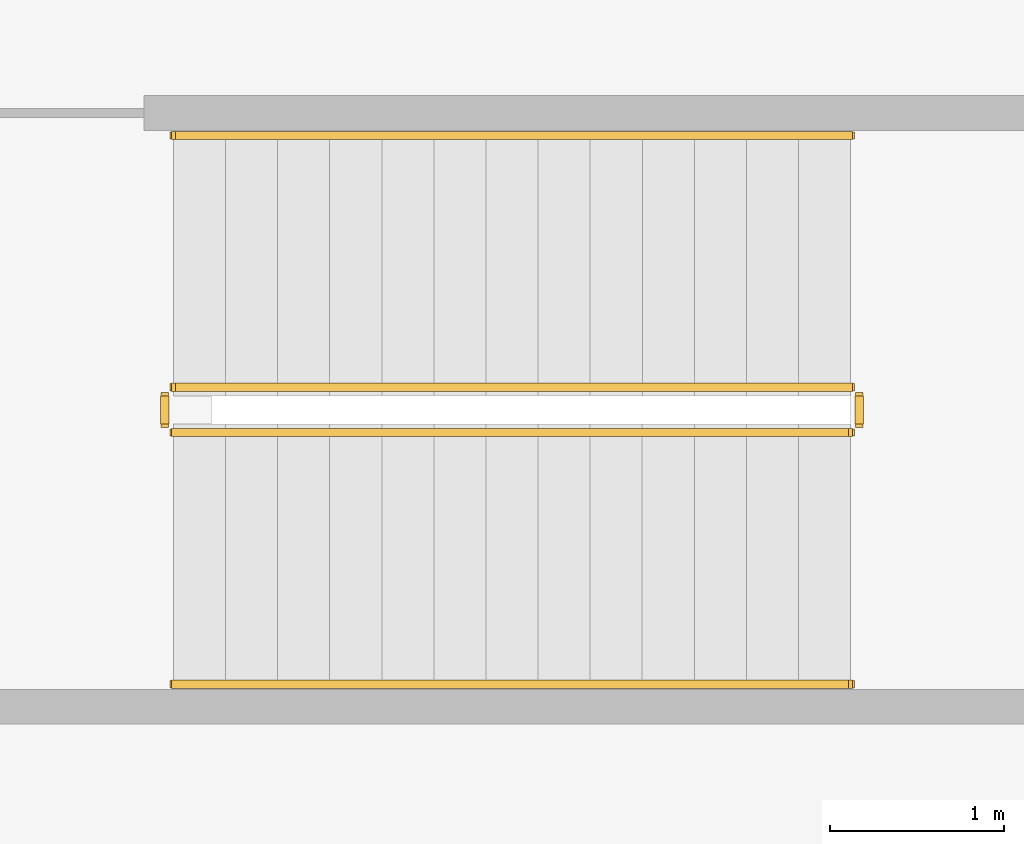
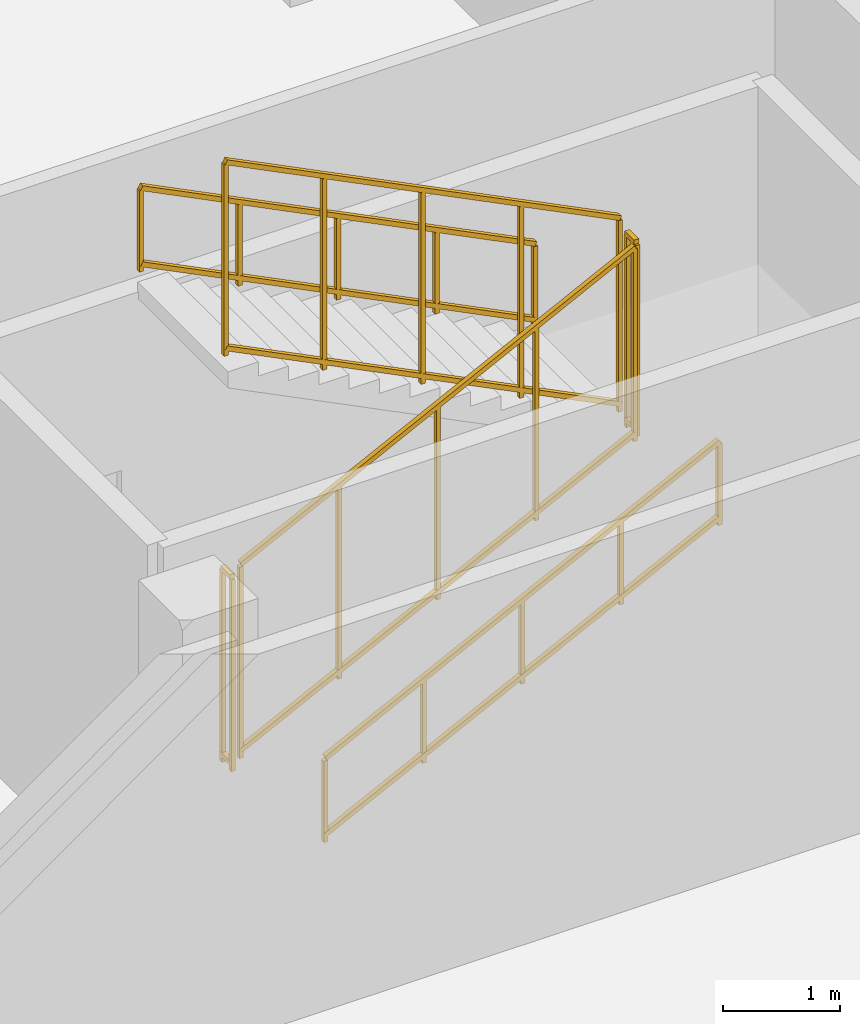
# One storey, part 17 of 19: 6 railings.
"""IFC4 building model written with IfcOpenShell, lengths in metres."""

from ifc_helpers import new_model, si_unit, direction, frame, origin, origin_2d, place, context, subcontext, project, spatial, rectangle, extrude, material, type_object, element, save


model = new_model("IFC4")

# Units and contexts
model_context = context("Model", 3, precision=1e-05, world=origin(), true_north=direction((0.0, 1.0)))
body_context = subcontext(model_context, "Body", "Model", "MODEL_VIEW")
ifc_project = project(units=[si_unit("LENGTHUNIT", "METRE"), si_unit("AREAUNIT", "SQUARE_METRE"), si_unit("VOLUMEUNIT", "CUBIC_METRE"), si_unit("PLANEANGLEUNIT", "RADIAN"), si_unit("MASSUNIT", "GRAM", prefix="KILO")], contexts=[model_context])

# Site, building, storey
site_placement = place(None, origin())
site = spatial("IfcSite", under=ifc_project, at=site_placement, CompositionType="ELEMENT")
building_placement = place(site_placement, origin())
building = spatial("IfcBuilding", under=site, at=building_placement, Name="Khorvyn Point Tower", CompositionType="ELEMENT")
storey_placement = place(building_placement, frame((0.0, 0.0, 4.800048828125)))
storey = spatial("IfcBuildingStorey", under=building, at=storey_placement, Name="L02", CompositionType="ELEMENT", Elevation=4.800048828125)

# Railings
ifc_material = material(Name="Stainless steel 1.4301", Category="steel")
railing_type_1 = type_object("IfcRailingType", Name="Stainless Steel 304 Stair Pitch Handrail 900", PredefinedType="HANDRAIL", material=ifc_material)
railing_1_placement = place(storey_placement, frame((25.949951171875, 8.610107421875, 0.14990234375)))
element("IfcRailing", 1, at=railing_1_placement, inside=storey, type_object=railing_type_1, Name="L02 ST-S3 stair handrail 1", PredefinedType="HANDRAIL", context=body_context, shape_type="SweptSolid", body=[
    extrude(rectangle(XDim=0.048095703125, YDim=0.048095703125, at=origin_2d()), frame((0.0, 0.0, 0.8759765625), z_axis=(0.894438388696, 0.0, 0.447191199406), x_axis=(0.0, 1.0, 0.0)), (0.0, 0.0, 1.0), 4.3603515625),
    extrude(rectangle(XDim=0.048095703125, YDim=0.048095703125, at=origin_2d()), frame((0.0, 0.0, 0.080078125), z_axis=(0.894438388696, 0.0, 0.447191199406), x_axis=(0.0, 1.0, 0.0)), (0.0, 0.0, 1.0), 4.3603515625),
    extrude(rectangle(XDim=0.0419921875, YDim=0.0419921875, at=origin_2d()), origin(), (0.0, 0.0, 1.0), 0.851806640625),
    extrude(rectangle(XDim=0.0419921875, YDim=0.0419921875, at=origin_2d()), frame((0.97509765625, 0.0, 0.487548828125)), (0.0, 0.0, 1.0), 0.851806640625),
    extrude(rectangle(XDim=0.0419921875, YDim=0.0419921875, at=origin_2d()), frame((1.9501953125, 0.0, 0.97509765625)), (0.0, 0.0, 1.0), 0.851806640625),
    extrude(rectangle(XDim=0.0419921875, YDim=0.0419921875, at=origin_2d()), frame((2.925048828125, 0.0, 1.46240234375)), (0.0, 0.0, 1.0), 0.851806640625),
    extrude(rectangle(XDim=0.0419921875, YDim=0.0419921875, at=origin_2d()), frame((3.900146484375, 0.0, 1.949951171875)), (0.0, 0.0, 1.0), 0.851806640625),
])
railing_2_placement = place(storey_placement, frame((29.85009765625, 11.77001953125, 2.25)))
element("IfcRailing", 2, at=railing_2_placement, inside=storey, type_object=railing_type_1, Name="L02 ST-S3 stair handrail 2", PredefinedType="HANDRAIL", context=body_context, shape_type="SweptSolid", body=[
    extrude(rectangle(XDim=0.048095703125, YDim=0.048095703125, at=origin_2d()), frame((0.0, 0.0, 0.8759765625), z_axis=(-0.894438388696, 0.0, 0.447191199406), x_axis=(0.0, -1.0, 0.0)), (0.0, 0.0, 1.0), 4.3603515625),
    extrude(rectangle(XDim=0.048095703125, YDim=0.048095703125, at=origin_2d()), frame((0.0, 0.0, 0.080078125), z_axis=(-0.894438388696, 0.0, 0.447191199406), x_axis=(0.0, -1.0, 0.0)), (0.0, 0.0, 1.0), 4.3603515625),
    extrude(rectangle(XDim=0.0419921875, YDim=0.0419921875, at=origin_2d()), origin(), (0.0, 0.0, 1.0), 0.851806640625),
    extrude(rectangle(XDim=0.0419921875, YDim=0.0419921875, at=origin_2d()), frame((-0.97509765625, 0.0, 0.487548828125)), (0.0, 0.0, 1.0), 0.851806640625),
    extrude(rectangle(XDim=0.0419921875, YDim=0.0419921875, at=origin_2d()), frame((-1.9501953125, 0.0, 0.97509765625)), (0.0, 0.0, 1.0), 0.851806640625),
    extrude(rectangle(XDim=0.0419921875, YDim=0.0419921875, at=origin_2d()), frame((-2.925048828125, 0.0, 1.46240234375)), (0.0, 0.0, 1.0), 0.851806640625),
    extrude(rectangle(XDim=0.0419921875, YDim=0.0419921875, at=origin_2d()), frame((-3.900146484375, 0.0, 1.949951171875)), (0.0, 0.0, 1.0), 0.851806640625),
])
railing_type_2 = type_object("IfcRailingType", Name="Stainless Steel 304 Stair Well Guardrail 1400", PredefinedType="GUARDRAIL", material=ifc_material)
railing_3_placement = place(storey_placement, frame((25.949951171875, 10.06005859375, 0.14990234375)))
element("IfcRailing", 3, at=railing_3_placement, inside=storey, type_object=railing_type_2, Name="L02 ST-S3 stair guard 1", PredefinedType="GUARDRAIL", context=body_context, shape_type="SweptSolid", body=[
    extrude(rectangle(XDim=0.048095703125, YDim=0.048095703125, at=origin_2d()), frame((0.0, 0.0, 2.02587890625), z_axis=(0.894438388696, 0.0, 0.447191199406), x_axis=(0.0, 1.0, 0.0)), (0.0, 0.0, 1.0), 4.3603515625),
    extrude(rectangle(XDim=0.048095703125, YDim=0.048095703125, at=origin_2d()), frame((0.0, 0.0, 0.080078125), z_axis=(0.894438388696, 0.0, 0.447191199406), x_axis=(0.0, 1.0, 0.0)), (0.0, 0.0, 1.0), 4.3603515625),
    extrude(rectangle(XDim=0.0419921875, YDim=0.0419921875, at=origin_2d()), origin(), (0.0, 0.0, 1.0), 2.001953125),
    extrude(rectangle(XDim=0.0419921875, YDim=0.0419921875, at=origin_2d()), frame((0.97509765625, 0.0, 0.487548828125)), (0.0, 0.0, 1.0), 2.001953125),
    extrude(rectangle(XDim=0.0419921875, YDim=0.0419921875, at=origin_2d()), frame((1.9501953125, 0.0, 0.97509765625)), (0.0, 0.0, 1.0), 2.001953125),
    extrude(rectangle(XDim=0.0419921875, YDim=0.0419921875, at=origin_2d()), frame((2.925048828125, 0.0, 1.46240234375)), (0.0, 0.0, 1.0), 2.001953125),
    extrude(rectangle(XDim=0.0419921875, YDim=0.0419921875, at=origin_2d()), frame((3.900146484375, 0.0, 1.949951171875)), (0.0, 0.0, 1.0), 2.001953125),
])
railing_4_placement = place(storey_placement, frame((29.89990234375, 10.110107421875, 2.099853515625)))
element("IfcRailing", 4, at=railing_4_placement, inside=storey, type_object=railing_type_2, Name="L02 ST-S3 stair guard 2", PredefinedType="GUARDRAIL", context=body_context, shape_type="SweptSolid", body=[
    extrude(rectangle(XDim=0.048095703125, YDim=0.048095703125, at=origin_2d()), frame((0.0, 0.0, 2.02587890625), z_axis=(0.0, 1.0, 0.0), x_axis=(-1.0, 0.0, 0.0)), (0.0, 0.0, 1.0), 0.159912109375),
    extrude(rectangle(XDim=0.048095703125, YDim=0.048095703125, at=origin_2d()), frame((0.0, 0.0, 0.080078125), z_axis=(0.0, 1.0, 0.0), x_axis=(-1.0, 0.0, 0.0)), (0.0, 0.0, 1.0), 0.159912109375),
    extrude(rectangle(XDim=0.0419921875, YDim=0.0419921875, at=origin_2d()), origin(), (0.0, 0.0, 1.0), 2.001953125),
    extrude(rectangle(XDim=0.0419921875, YDim=0.0419921875, at=origin_2d()), frame((0.0, 0.159912109375, 0.0)), (0.0, 0.0, 1.0), 2.001953125),
])
railing_5_placement = place(storey_placement, frame((29.85009765625, 10.320068359375, 2.25)))
element("IfcRailing", 5, at=railing_5_placement, inside=storey, type_object=railing_type_2, Name="L02 ST-S3 stair guard 3", PredefinedType="GUARDRAIL", context=body_context, shape_type="SweptSolid", body=[
    extrude(rectangle(XDim=0.048095703125, YDim=0.048095703125, at=origin_2d()), frame((0.0, 0.0, 2.02587890625), z_axis=(-0.894438388696, 0.0, 0.447191199406), x_axis=(0.0, -1.0, 0.0)), (0.0, 0.0, 1.0), 4.3603515625),
    extrude(rectangle(XDim=0.048095703125, YDim=0.048095703125, at=origin_2d()), frame((0.0, 0.0, 0.080078125), z_axis=(-0.894438388696, 0.0, 0.447191199406), x_axis=(0.0, -1.0, 0.0)), (0.0, 0.0, 1.0), 4.3603515625),
    extrude(rectangle(XDim=0.0419921875, YDim=0.0419921875, at=origin_2d()), origin(), (0.0, 0.0, 1.0), 2.001953125),
    extrude(rectangle(XDim=0.0419921875, YDim=0.0419921875, at=origin_2d()), frame((-0.97509765625, 0.0, 0.487548828125)), (0.0, 0.0, 1.0), 2.001953125),
    extrude(rectangle(XDim=0.0419921875, YDim=0.0419921875, at=origin_2d()), frame((-1.9501953125, 0.0, 0.97509765625)), (0.0, 0.0, 1.0), 2.001953125),
    extrude(rectangle(XDim=0.0419921875, YDim=0.0419921875, at=origin_2d()), frame((-2.925048828125, 0.0, 1.46240234375)), (0.0, 0.0, 1.0), 2.001953125),
    extrude(rectangle(XDim=0.0419921875, YDim=0.0419921875, at=origin_2d()), frame((-3.900146484375, 0.0, 1.949951171875)), (0.0, 0.0, 1.0), 2.001953125),
])
railing_6_placement = place(storey_placement, frame((25.89990234375, 10.110107421875, 0.0)))
element("IfcRailing", 6, at=railing_6_placement, inside=storey, type_object=railing_type_2, Name="L02 ST-S3 stair guard 4", PredefinedType="GUARDRAIL", context=body_context, shape_type="SweptSolid", body=[
    extrude(rectangle(XDim=0.048095703125, YDim=0.048095703125, at=origin_2d()), frame((0.0, 0.0, 2.02587890625), z_axis=(0.0, 1.0, 0.0), x_axis=(-1.0, 0.0, 0.0)), (0.0, 0.0, 1.0), 0.159912109375),
    extrude(rectangle(XDim=0.048095703125, YDim=0.048095703125, at=origin_2d()), frame((0.0, 0.0, 0.080078125), z_axis=(0.0, 1.0, 0.0), x_axis=(-1.0, 0.0, 0.0)), (0.0, 0.0, 1.0), 0.159912109375),
    extrude(rectangle(XDim=0.0419921875, YDim=0.0419921875, at=origin_2d()), origin(), (0.0, 0.0, 1.0), 2.001953125),
    extrude(rectangle(XDim=0.0419921875, YDim=0.0419921875, at=origin_2d()), frame((0.0, 0.159912109375, 0.0)), (0.0, 0.0, 1.0), 2.001953125),
])

save(model, "model.ifc")
